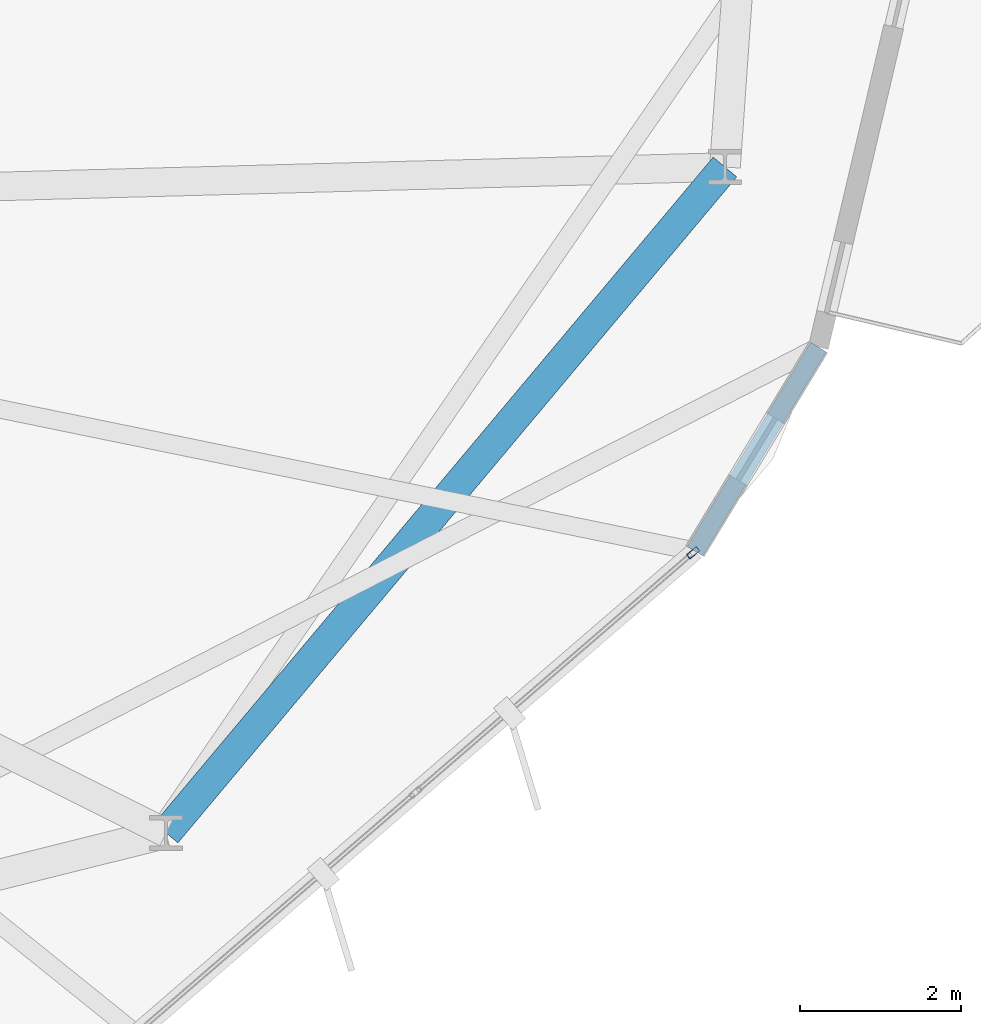
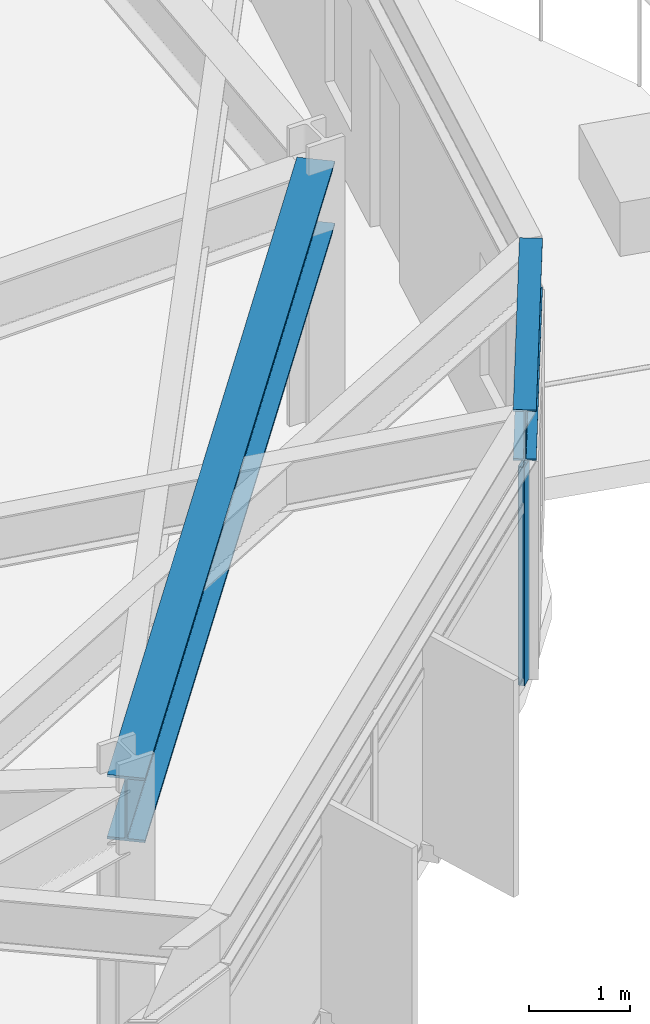
# One storey, part 10 of 27: 2 beams, 1 member, 1 element without a shape of its own.
"""IFC4 building model written with IfcOpenShell, lengths in metres."""

from ifc_helpers import new_model, si_unit, direction, frame, origin, origin_2d, place, context, subcontext, project, spatial, hollow_rectangle, i_section, extrude, material, layer, layer_set, material_profile, profile_set, type_object, element, aggregate, save


model = new_model("IFC4")

# Units and contexts
model_context = context("Model", 3, precision=1e-05, world=origin(), true_north=direction((0.0, 1.0)))
body_context = subcontext(model_context, "Body", "Model", "MODEL_VIEW")
ifc_project = project(units=[si_unit("LENGTHUNIT", "METRE"), si_unit("AREAUNIT", "SQUARE_METRE"), si_unit("VOLUMEUNIT", "CUBIC_METRE"), si_unit("PLANEANGLEUNIT", "RADIAN"), si_unit("MASSUNIT", "GRAM", prefix="KILO")], contexts=[model_context])

# Site, building, storey
site_placement = place(None, origin())
site = spatial("IfcSite", under=ifc_project, at=site_placement, CompositionType="ELEMENT")
building_placement = place(site_placement, origin())
building = spatial("IfcBuilding", under=site, at=building_placement, Name="Soratama Intermodal Tower", CompositionType="ELEMENT")
storey_placement = place(building_placement, frame((0.0, 0.0, 182.199951171875)))
storey = spatial("IfcBuildingStorey", under=building, at=storey_placement, Name="L45", CompositionType="ELEMENT", Elevation=182.199951171875)

# Beams
ifc_material_1 = material(Name="Structural steel ASTM A992 Grade 50", Category="steel")
ifc_material_profile_1 = material_profile(ifc_material_1, i_section(OverallWidth=0.382080078125, OverallDepth=0.779052734375, WebThickness=0.01806640625, FlangeThickness=0.030029296875, FilletRadius=0.01806640625, at=origin_2d()), Name="W30X191")
ifc_profile_set_1 = profile_set([ifc_material_profile_1], Name="Structural steel ASTM A992 Grade 50")
beam_type_1 = type_object("IfcBeamType", Name="BM-RING-W30X191", PredefinedType="BEAM", material=ifc_profile_set_1)
beam_1_placement = place(storey_placement, frame((54.27392578125, 10.158935546875, 2.87060546875), z_axis=(0.642791781199, 0.766040942785, 0.0), x_axis=(-0.766040942785, 0.642791781199, 0.0)))
element("IfcBeam", 1, at=beam_1_placement, inside=storey, type_object=beam_type_1, Name="BM-L45-RING-09", PredefinedType="BEAM", context=body_context, shape_type="SweptSolid", body=[
    extrude(i_section(OverallWidth=0.382080078125, OverallDepth=0.779052734375, WebThickness=0.01806640625, FlangeThickness=0.030029296875, FilletRadius=0.01806640625, at=origin_2d()), origin(), (0.0, 0.0, 1.0), 10.815673828125),
])
ifc_material_2 = material(Name="Structural steel ASTM A992 Grade 50", Category="steel")
ifc_material_profile_2 = material_profile(ifc_material_2, i_section(OverallWidth=0.22900390625, OverallDepth=0.612060546875, WebThickness=0.011962890625, FlangeThickness=0.01953125, FilletRadius=0.012939453125, at=origin_2d()), Name="W24X84")
ifc_profile_set_2 = profile_set([ifc_material_profile_2], Name="Structural steel ASTM A992 Grade 50")
beam_type_2 = type_object("IfcBeamType", Name="BM-SPN-W24X84", PredefinedType="SPANDREL", material=ifc_profile_set_2)
beam_2_placement = place(storey_placement, frame((60.85302734375, 13.6650390625, 2.9541015625), z_axis=(0.51800077315, 0.855380148832, 0.0), x_axis=(-0.855380148832, 0.51800077315, 0.0)))
element("IfcBeam", 2, at=beam_2_placement, inside=storey, type_object=beam_type_2, Name="BS-L45-CRN08", PredefinedType="SPANDREL", context=body_context, shape_type="SweptSolid", body=[
    extrude(i_section(OverallWidth=0.22900390625, OverallDepth=0.612060546875, WebThickness=0.011962890625, FlangeThickness=0.01953125, FilletRadius=0.012939453125, at=origin_2d()), origin(), (0.0, 0.0, 1.0), 2.966796875),
])

# Curtain wall, member
ifc_material_3 = material(Name="Double-glazed aluminium curtain wall", Category="aluminium")
ifc_layer = layer(ifc_material_3, 0.159912109375)
ifc_layer_set = layer_set([ifc_layer], Name="Double-glazed aluminium curtain wall")
curtain_wall_type = type_object("IfcCurtainWallType", Name="CW-SYS-4", PredefinedType="NOTDEFINED", material=ifc_layer_set)
curtain_wall_placement = place(storey_placement, origin())
curtain_wall = element("IfcCurtainWall", 3, at=curtain_wall_placement, inside=storey, type_object=curtain_wall_type, Name="L45 Faceted Curtain Wall F08", PredefinedType="NOTDEFINED")
ifc_material_4 = material(Name="Anodised aluminium AA 6063-T6", Category="aluminium")
ifc_material_profile_3 = material_profile(ifc_material_4, hollow_rectangle(XDim=0.070068359375, YDim=0.159912109375, WallThickness=0.0048828125, InnerFilletRadius=0.0048828125, OuterFilletRadius=0.010009765625, at=origin_2d()), Name="CWM160X70X5")
ifc_profile_set_3 = profile_set([ifc_material_profile_3], Name="Anodised aluminium AA 6063-T6")
member_type = type_object("IfcMemberType", Name="MT-CWM-4", PredefinedType="MULLION", material=ifc_profile_set_3)
member_placement = place(storey_placement, frame((60.830078125, 13.6455078125, 0.0), z_axis=(0.0, 0.0, 1.0), x_axis=(-0.653423478427, 0.756992574495, 0.0)))
member = element("IfcMember", 4, at=member_placement, type_object=member_type, Name="CW-4 mullion 3", PredefinedType="MULLION", context=body_context, shape_type="SweptSolid", body=[
    extrude(hollow_rectangle(XDim=0.070068359375, YDim=0.159912109375, WallThickness=0.0048828125, InnerFilletRadius=0.0048828125, OuterFilletRadius=0.010009765625, at=origin_2d()), origin(), (0.0, 0.0, 1.0), 2.63916015625),
])
aggregate(curtain_wall, [member])

save(model, "model.ifc")
